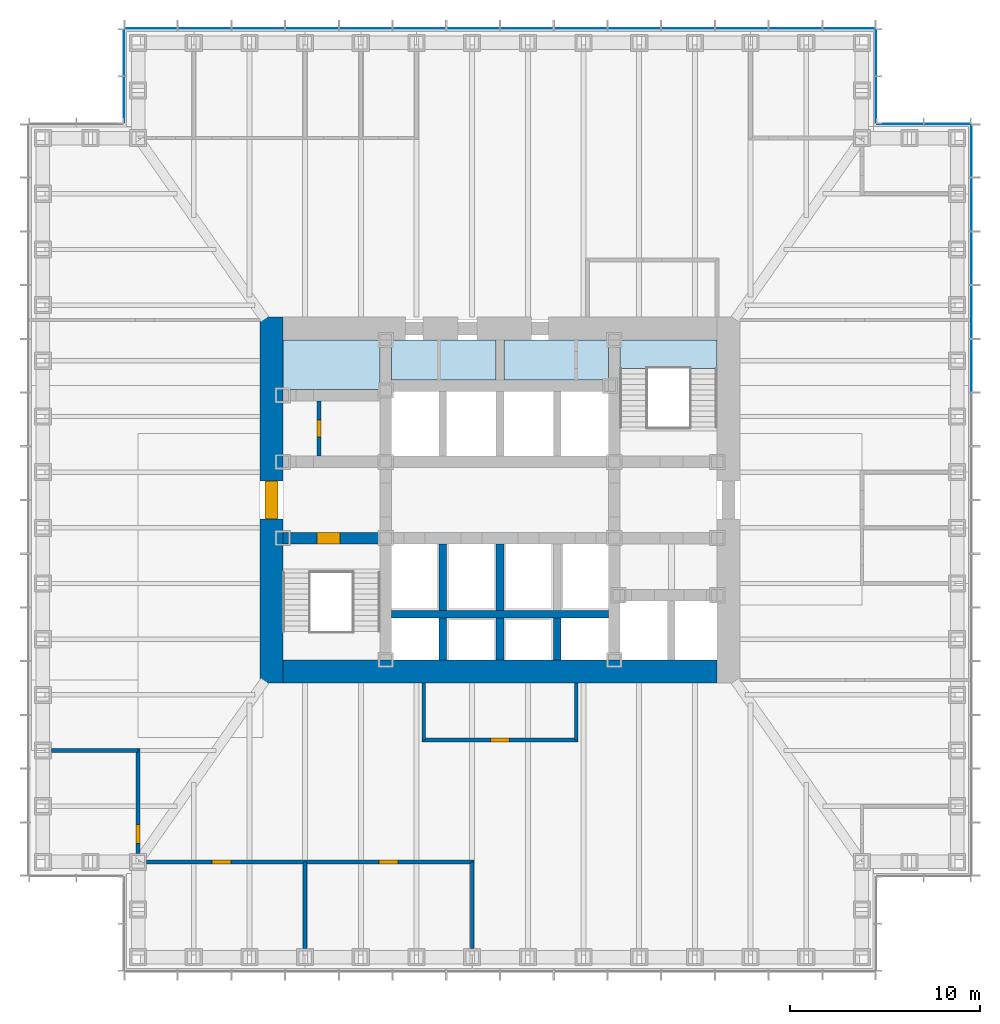
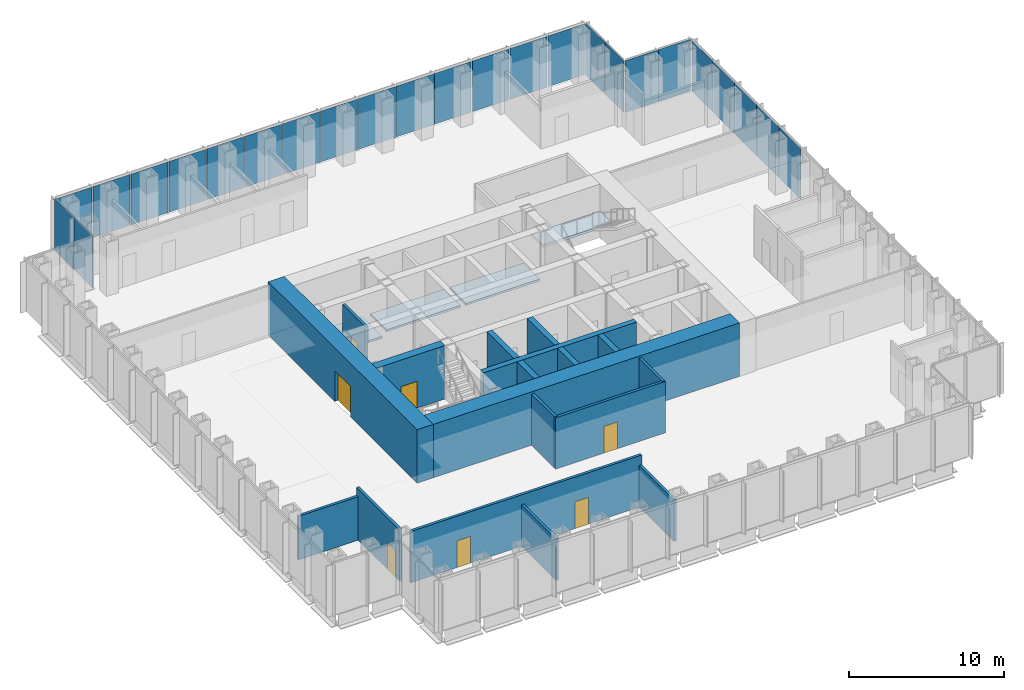
# One storey, part 8 of 16: 25 plates, 18 walls, 7 doors, 4 slabs, 7 openings, 6 elements without a shape of their own.
"""IFC4 building model written with IfcOpenShell, lengths in metres."""

from ifc_helpers import new_model, si_unit, direction, frame, frame_2d, origin, origin_2d, place, context, subcontext, project, spatial, polyline, rectangle, outline, extrude, material, layer, layer_set, type_object, element, fill, aggregate, save


model = new_model("IFC4")

# Units and contexts
model_context = context("Model", 3, precision=1e-05, world=origin(), true_north=direction((0.0, 1.0)))
body_context = subcontext(model_context, "Body", "Model", "MODEL_VIEW")
ifc_project = project(units=[si_unit("LENGTHUNIT", "METRE"), si_unit("AREAUNIT", "SQUARE_METRE"), si_unit("VOLUMEUNIT", "CUBIC_METRE"), si_unit("PLANEANGLEUNIT", "RADIAN"), si_unit("MASSUNIT", "GRAM", prefix="KILO")], contexts=[model_context])

# Site, building, storey
site_placement = place(None, origin())
site = spatial("IfcSite", under=ifc_project, at=site_placement, CompositionType="ELEMENT")
building_placement = place(site_placement, origin())
building = spatial("IfcBuilding", under=site, at=building_placement, Name="Daluyong Arena Tower", CompositionType="ELEMENT")
storey_placement = place(building_placement, frame((0.0, 0.0, 68.5)))
storey = spatial("IfcBuildingStorey", under=building, at=storey_placement, Name="L14", CompositionType="ELEMENT", Elevation=68.5)

# Curtain wall, plates
ifc_material_1 = material(Name="Bronze anodised aluminium and glass", Category="aluminium")
curtain_wall_type_1 = type_object("IfcCurtainWallType", Name="Curtain wall CW1", PredefinedType="USERDEFINED", material=ifc_material_1)
curtain_wall_1_placement = place(storey_placement, origin())
curtain_wall_1 = element("IfcCurtainWall", 1, at=curtain_wall_1_placement, inside=storey, type_object=curtain_wall_type_1, Name="curtain wall L14 E", ObjectType="UNITISED CURTAIN WALL", PredefinedType="USERDEFINED")
ifc_material_2 = material(Name="Tinted double glazed unit", Category="glass")
ifc_layer_1 = layer(ifc_material_2, 0.031982421875)
ifc_layer_set_1 = layer_set([ifc_layer_1], Name="Tinted double glazed unit")
plate_type_1 = type_object("IfcPlateType", Name="CW1 panel 32", PredefinedType="CURTAIN_PANEL", material=ifc_layer_set_1)
plate_1_placement = place(storey_placement, frame((80.75, 87.053466796875, 0.0), z_axis=(0.0, 0.0, 1.0), x_axis=(0.0, 1.0, 0.0)))
plate_1 = element("IfcPlate", 2, at=plate_1_placement, type_object=plate_type_1, Name="curtain wall L14 E panel 10", PredefinedType="CURTAIN_PANEL", context=body_context, shape_type="SweptSolid", body=[
    extrude(rectangle(XDim=2.741455078125, YDim=0.031982421875, at=origin_2d()), origin(), (0.0, 0.0, 1.0), 4.0),
])
plate_2_placement = place(storey_placement, frame((80.75, 89.875, 0.0), z_axis=(0.0, 0.0, 1.0), x_axis=(0.0, 1.0, 0.0)))
plate_2 = element("IfcPlate", 3, at=plate_2_placement, type_object=plate_type_1, Name="curtain wall L14 E panel 11", PredefinedType="CURTAIN_PANEL", context=body_context, shape_type="SweptSolid", body=[
    extrude(rectangle(XDim=2.741455078125, YDim=0.031982421875, at=origin_2d()), origin(), (0.0, 0.0, 1.0), 4.0),
])
plate_3_placement = place(storey_placement, frame((80.75, 92.696533203125, 0.0), z_axis=(0.0, 0.0, 1.0), x_axis=(0.0, 1.0, 0.0)))
plate_3 = element("IfcPlate", 4, at=plate_3_placement, type_object=plate_type_1, Name="curtain wall L14 E panel 12", PredefinedType="CURTAIN_PANEL", context=body_context, shape_type="SweptSolid", body=[
    extrude(rectangle(XDim=2.741455078125, YDim=0.031982421875, at=origin_2d()), origin(), (0.0, 0.0, 1.0), 4.0),
])
plate_4_placement = place(storey_placement, frame((80.75, 95.517822265625, 0.0), z_axis=(0.0, 0.0, 1.0), x_axis=(0.0, 1.0, 0.0)))
plate_4 = element("IfcPlate", 5, at=plate_4_placement, type_object=plate_type_1, Name="curtain wall L14 E panel 13", PredefinedType="CURTAIN_PANEL", context=body_context, shape_type="SweptSolid", body=[
    extrude(rectangle(XDim=2.741455078125, YDim=0.031982421875, at=origin_2d()), origin(), (0.0, 0.0, 1.0), 4.0),
])
plate_5_placement = place(storey_placement, frame((80.75, 98.3193359375, 0.0), z_axis=(0.0, 0.0, 1.0), x_axis=(0.0, 1.0, 0.0)))
plate_5 = element("IfcPlate", 6, at=plate_5_placement, type_object=plate_type_1, Name="curtain wall L14 E panel 14", PredefinedType="CURTAIN_PANEL", context=body_context, shape_type="SweptSolid", body=[
    extrude(rectangle(XDim=2.701416015625, YDim=0.031982421875, at=origin_2d()), origin(), (0.0, 0.0, 1.0), 4.0),
])
aggregate(curtain_wall_1, [plate_1, plate_2, plate_3, plate_4, plate_5])

curtain_wall_2_placement = place(storey_placement, origin())
curtain_wall_2 = element("IfcCurtainWall", 7, at=curtain_wall_2_placement, inside=storey, type_object=curtain_wall_type_1, Name="curtain wall L14 N", ObjectType="UNITISED CURTAIN WALL", PredefinedType="USERDEFINED")
plate_6_placement = place(storey_placement, frame((74.3193359375, 104.75, 0.0), z_axis=(0.0, 0.0, 1.0), x_axis=(-1.0, 0.0, 0.0)))
plate_6 = element("IfcPlate", 8, at=plate_6_placement, type_object=plate_type_1, Name="curtain wall L14 N panel 1", PredefinedType="CURTAIN_PANEL", context=body_context, shape_type="SweptSolid", body=[
    extrude(rectangle(XDim=2.701416015625, YDim=0.031982421875, at=origin_2d()), origin(), (0.0, 0.0, 1.0), 4.0),
])
plate_7_placement = place(storey_placement, frame((71.517822265625, 104.75, 0.0), z_axis=(0.0, 0.0, 1.0), x_axis=(-1.0, 0.0, 0.0)))
plate_7 = element("IfcPlate", 9, at=plate_7_placement, type_object=plate_type_1, Name="curtain wall L14 N panel 2", PredefinedType="CURTAIN_PANEL", context=body_context, shape_type="SweptSolid", body=[
    extrude(rectangle(XDim=2.741455078125, YDim=0.031982421875, at=origin_2d()), origin(), (0.0, 0.0, 1.0), 4.0),
])
plate_8_placement = place(storey_placement, frame((68.696533203125, 104.75, 0.0), z_axis=(0.0, 0.0, 1.0), x_axis=(-1.0, 0.0, 0.0)))
plate_8 = element("IfcPlate", 10, at=plate_8_placement, type_object=plate_type_1, Name="curtain wall L14 N panel 3", PredefinedType="CURTAIN_PANEL", context=body_context, shape_type="SweptSolid", body=[
    extrude(rectangle(XDim=2.741455078125, YDim=0.031982421875, at=origin_2d()), origin(), (0.0, 0.0, 1.0), 4.0),
])
plate_9_placement = place(storey_placement, frame((65.875, 104.75, 0.0), z_axis=(0.0, 0.0, 1.0), x_axis=(-1.0, 0.0, 0.0)))
plate_9 = element("IfcPlate", 11, at=plate_9_placement, type_object=plate_type_1, Name="curtain wall L14 N panel 4", PredefinedType="CURTAIN_PANEL", context=body_context, shape_type="SweptSolid", body=[
    extrude(rectangle(XDim=2.741455078125, YDim=0.031982421875, at=origin_2d()), origin(), (0.0, 0.0, 1.0), 4.0),
])
plate_10_placement = place(storey_placement, frame((63.053466796875, 104.75, 0.0), z_axis=(0.0, 0.0, 1.0), x_axis=(-1.0, 0.0, 0.0)))
plate_10 = element("IfcPlate", 12, at=plate_10_placement, type_object=plate_type_1, Name="curtain wall L14 N panel 5", PredefinedType="CURTAIN_PANEL", context=body_context, shape_type="SweptSolid", body=[
    extrude(rectangle(XDim=2.741455078125, YDim=0.031982421875, at=origin_2d()), origin(), (0.0, 0.0, 1.0), 4.0),
])
plate_11_placement = place(storey_placement, frame((60.232177734375, 104.75, 0.0), z_axis=(0.0, 0.0, 1.0), x_axis=(-1.0, 0.0, 0.0)))
plate_11 = element("IfcPlate", 13, at=plate_11_placement, type_object=plate_type_1, Name="curtain wall L14 N panel 6", PredefinedType="CURTAIN_PANEL", context=body_context, shape_type="SweptSolid", body=[
    extrude(rectangle(XDim=2.741455078125, YDim=0.031982421875, at=origin_2d()), origin(), (0.0, 0.0, 1.0), 4.0),
])
plate_12_placement = place(storey_placement, frame((57.41064453125, 104.75, 0.0), z_axis=(0.0, 0.0, 1.0), x_axis=(-1.0, 0.0, 0.0)))
plate_12 = element("IfcPlate", 14, at=plate_12_placement, type_object=plate_type_1, Name="curtain wall L14 N panel 7", PredefinedType="CURTAIN_PANEL", context=body_context, shape_type="SweptSolid", body=[
    extrude(rectangle(XDim=2.741455078125, YDim=0.031982421875, at=origin_2d()), origin(), (0.0, 0.0, 1.0), 4.0),
])
plate_13_placement = place(storey_placement, frame((54.58935546875, 104.75, 0.0), z_axis=(0.0, 0.0, 1.0), x_axis=(-1.0, 0.0, 0.0)))
plate_13 = element("IfcPlate", 15, at=plate_13_placement, type_object=plate_type_1, Name="curtain wall L14 N panel 8", PredefinedType="CURTAIN_PANEL", context=body_context, shape_type="SweptSolid", body=[
    extrude(rectangle(XDim=2.741455078125, YDim=0.031982421875, at=origin_2d()), origin(), (0.0, 0.0, 1.0), 4.0),
])
plate_14_placement = place(storey_placement, frame((51.767822265625, 104.75, 0.0), z_axis=(0.0, 0.0, 1.0), x_axis=(-1.0, 0.0, 0.0)))
plate_14 = element("IfcPlate", 16, at=plate_14_placement, type_object=plate_type_1, Name="curtain wall L14 N panel 9", PredefinedType="CURTAIN_PANEL", context=body_context, shape_type="SweptSolid", body=[
    extrude(rectangle(XDim=2.741455078125, YDim=0.031982421875, at=origin_2d()), origin(), (0.0, 0.0, 1.0), 4.0),
])
plate_15_placement = place(storey_placement, frame((48.946533203125, 104.75, 0.0), z_axis=(0.0, 0.0, 1.0), x_axis=(-1.0, 0.0, 0.0)))
plate_15 = element("IfcPlate", 17, at=plate_15_placement, type_object=plate_type_1, Name="curtain wall L14 N panel 10", PredefinedType="CURTAIN_PANEL", context=body_context, shape_type="SweptSolid", body=[
    extrude(rectangle(XDim=2.741455078125, YDim=0.031982421875, at=origin_2d()), origin(), (0.0, 0.0, 1.0), 4.0),
])
plate_16_placement = place(storey_placement, frame((46.125, 104.75, 0.0), z_axis=(0.0, 0.0, 1.0), x_axis=(-1.0, 0.0, 0.0)))
plate_16 = element("IfcPlate", 18, at=plate_16_placement, type_object=plate_type_1, Name="curtain wall L14 N panel 11", PredefinedType="CURTAIN_PANEL", context=body_context, shape_type="SweptSolid", body=[
    extrude(rectangle(XDim=2.741455078125, YDim=0.031982421875, at=origin_2d()), origin(), (0.0, 0.0, 1.0), 4.0),
])
plate_17_placement = place(storey_placement, frame((43.303466796875, 104.75, 0.0), z_axis=(0.0, 0.0, 1.0), x_axis=(-1.0, 0.0, 0.0)))
plate_17 = element("IfcPlate", 19, at=plate_17_placement, type_object=plate_type_1, Name="curtain wall L14 N panel 12", PredefinedType="CURTAIN_PANEL", context=body_context, shape_type="SweptSolid", body=[
    extrude(rectangle(XDim=2.741455078125, YDim=0.031982421875, at=origin_2d()), origin(), (0.0, 0.0, 1.0), 4.0),
])
plate_18_placement = place(storey_placement, frame((40.482177734375, 104.75, 0.0), z_axis=(0.0, 0.0, 1.0), x_axis=(-1.0, 0.0, 0.0)))
plate_18 = element("IfcPlate", 20, at=plate_18_placement, type_object=plate_type_1, Name="curtain wall L14 N panel 13", PredefinedType="CURTAIN_PANEL", context=body_context, shape_type="SweptSolid", body=[
    extrude(rectangle(XDim=2.741455078125, YDim=0.031982421875, at=origin_2d()), origin(), (0.0, 0.0, 1.0), 4.0),
])
plate_19_placement = place(storey_placement, frame((37.6806640625, 104.75, 0.0), z_axis=(0.0, 0.0, 1.0), x_axis=(-1.0, 0.0, 0.0)))
plate_19 = element("IfcPlate", 21, at=plate_19_placement, type_object=plate_type_1, Name="curtain wall L14 N panel 14", PredefinedType="CURTAIN_PANEL", context=body_context, shape_type="SweptSolid", body=[
    extrude(rectangle(XDim=2.701416015625, YDim=0.031982421875, at=origin_2d()), origin(), (0.0, 0.0, 1.0), 4.0),
])
aggregate(curtain_wall_2, [plate_6, plate_7, plate_8, plate_9, plate_10, plate_11, plate_12, plate_13, plate_14, plate_15, plate_16, plate_17, plate_18, plate_19])

ifc_material_3 = material(Name="Bronze anodised aluminium and glass", Category="aluminium")
curtain_wall_type_2 = type_object("IfcCurtainWallType", Name="Curtain wall CW7", PredefinedType="USERDEFINED", material=ifc_material_3)
curtain_wall_3_placement = place(storey_placement, origin())
curtain_wall_3 = element("IfcCurtainWall", 22, at=curtain_wall_3_placement, inside=storey, type_object=curtain_wall_type_2, Name="curtain wall L14 NE-N", ObjectType="UNITISED CURTAIN WALL", PredefinedType="USERDEFINED")
ifc_material_4 = material(Name="Tinted double glazed unit", Category="glass")
ifc_layer_2 = layer(ifc_material_4, 0.028076171875)
ifc_layer_set_2 = layer_set([ifc_layer_2], Name="Tinted double glazed unit")
plate_type_2 = type_object("IfcPlateType", Name="CW7 panel 28", PredefinedType="CURTAIN_PANEL", material=ifc_layer_set_2)
plate_20_placement = place(storey_placement, frame((79.485107421875, 99.75, 0.0), z_axis=(0.0, 0.0, 1.0), x_axis=(-1.0, 0.0, 0.0)))
plate_20 = element("IfcPlate", 23, at=plate_20_placement, type_object=plate_type_2, Name="curtain wall L14 NE-N panel 1", PredefinedType="CURTAIN_PANEL", context=body_context, shape_type="SweptSolid", body=[
    extrude(rectangle(XDim=2.409912109375, YDim=0.028076171875, at=origin_2d()), origin(), (0.0, 0.0, 1.0), 4.080078125),
])
plate_21_placement = place(storey_placement, frame((77.014892578125, 99.75, 0.0), z_axis=(0.0, 0.0, 1.0), x_axis=(-1.0, 0.0, 0.0)))
plate_21 = element("IfcPlate", 24, at=plate_21_placement, type_object=plate_type_2, Name="curtain wall L14 NE-N panel 2", PredefinedType="CURTAIN_PANEL", context=body_context, shape_type="SweptSolid", body=[
    extrude(rectangle(XDim=2.409912109375, YDim=0.028076171875, at=origin_2d()), origin(), (0.0, 0.0, 1.0), 4.080078125),
])
aggregate(curtain_wall_3, [plate_20, plate_21])

curtain_wall_4_placement = place(storey_placement, origin())
curtain_wall_4 = element("IfcCurtainWall", 25, at=curtain_wall_4_placement, inside=storey, type_object=curtain_wall_type_2, Name="curtain wall L14 NE-E", ObjectType="UNITISED CURTAIN WALL", PredefinedType="USERDEFINED")
plate_22_placement = place(storey_placement, frame((75.75, 101.014892578125, 0.0), z_axis=(0.0, 0.0, 1.0), x_axis=(0.0, 1.0, 0.0)))
plate_22 = element("IfcPlate", 26, at=plate_22_placement, type_object=plate_type_2, Name="curtain wall L14 NE-E panel 1", PredefinedType="CURTAIN_PANEL", context=body_context, shape_type="SweptSolid", body=[
    extrude(rectangle(XDim=2.409912109375, YDim=0.028076171875, at=origin_2d()), origin(), (0.0, 0.0, 1.0), 4.080078125),
])
plate_23_placement = place(storey_placement, frame((75.75, 103.485107421875, 0.0), z_axis=(0.0, 0.0, 1.0), x_axis=(0.0, 1.0, 0.0)))
plate_23 = element("IfcPlate", 27, at=plate_23_placement, type_object=plate_type_2, Name="curtain wall L14 NE-E panel 2", PredefinedType="CURTAIN_PANEL", context=body_context, shape_type="SweptSolid", body=[
    extrude(rectangle(XDim=2.409912109375, YDim=0.028076171875, at=origin_2d()), origin(), (0.0, 0.0, 1.0), 4.080078125),
])
aggregate(curtain_wall_4, [plate_22, plate_23])

curtain_wall_5_placement = place(storey_placement, origin())
curtain_wall_5 = element("IfcCurtainWall", 28, at=curtain_wall_5_placement, inside=storey, type_object=curtain_wall_type_2, Name="curtain wall L14 NW-W", ObjectType="UNITISED CURTAIN WALL", PredefinedType="USERDEFINED")
plate_24_placement = place(storey_placement, frame((36.25, 103.485107421875, 0.0), z_axis=(0.0, 0.0, 1.0), x_axis=(0.0, -1.0, 0.0)))
plate_24 = element("IfcPlate", 29, at=plate_24_placement, type_object=plate_type_2, Name="curtain wall L14 NW-W panel 1", PredefinedType="CURTAIN_PANEL", context=body_context, shape_type="SweptSolid", body=[
    extrude(rectangle(XDim=2.409912109375, YDim=0.028076171875, at=origin_2d()), origin(), (0.0, 0.0, 1.0), 4.080078125),
])
plate_25_placement = place(storey_placement, frame((36.25, 101.014892578125, 0.0), z_axis=(0.0, 0.0, 1.0), x_axis=(0.0, -1.0, 0.0)))
plate_25 = element("IfcPlate", 30, at=plate_25_placement, type_object=plate_type_2, Name="curtain wall L14 NW-W panel 2", PredefinedType="CURTAIN_PANEL", context=body_context, shape_type="SweptSolid", body=[
    extrude(rectangle(XDim=2.409912109375, YDim=0.028076171875, at=origin_2d()), origin(), (0.0, 0.0, 1.0), 4.080078125),
])
aggregate(curtain_wall_5, [plate_24, plate_25])

# Stair, slab
ifc_material_5 = material(Name="Concrete fc' 35 MPa", Category="concrete")
stair_type = type_object("IfcStairType", Name="Core exit stair", PredefinedType="HALF_TURN_STAIR", material=ifc_material_5)
stair_placement = place(storey_placement, origin())
stair = element("IfcStair", 31, at=stair_placement, inside=storey, type_object=stair_type, Name="exit stair B L14", PredefinedType="HALF_TURN_STAIR")
ifc_material_6 = material(Name="Concrete fc' 35 MPa", Category="concrete")
ifc_layer_3 = layer(ifc_material_6, 0.199951171875)
ifc_layer_set_3 = layer_set([ifc_layer_3], Name="Concrete fc' 35 MPa")
slab_type_1 = type_object("IfcSlabType", Name="Stair landing 200", PredefinedType="LANDING", material=ifc_layer_set_3)
slab_1_placement = place(storey_placement, frame((0.0, 0.0, 1.89990234375)))
slab_1 = element("IfcSlab", 32, at=slab_1_placement, type_object=slab_type_1, Name="STB landing 1", PredefinedType="LANDING", context=body_context, shape_type="SweptSolid", body=[
    extrude(outline(polyline([(62.300048828125, 86.905029296875), (67.39990234375, 86.905029296875), (67.39990234375, 88.39990234375), (62.300048828125, 88.39990234375), (62.300048828125, 86.905029296875)])), origin(), (0.0, 0.0, 1.0), 0.2001953125),
])
aggregate(stair, [slab_1])

# Slabs
ifc_material_7 = material(Name="Concrete fc' 35 MPa", Category="concrete")
ifc_layer_4 = layer(ifc_material_7, 0.159912109375)
ifc_layer_set_4 = layer_set([ifc_layer_4], Name="Concrete fc' 35 MPa")
slab_type_2 = type_object("IfcSlabType", Name="Tower floor slab 160", PredefinedType="FLOOR", material=ifc_layer_set_4)
slab_2_placement = place(storey_placement, frame((0.0, 0.0, -0.159912109375)))
element("IfcSlab", 33, at=slab_2_placement, inside=storey, type_object=slab_type_2, Name="floor L14 part 4", PredefinedType="FLOOR", context=body_context, shape_type="SweptSolid", body=[
    extrude(outline(polyline([(44.60009765625, 88.39990234375), (44.60009765625, 85.800048828125), (49.699951171875, 85.800048828125), (49.699951171875, 88.39990234375), (44.60009765625, 88.39990234375)])), origin(), (0.0, 0.0, 1.0), 0.159912109375),
])
slab_3_placement = place(storey_placement, frame((0.0, 0.0, -0.159912109375)))
element("IfcSlab", 34, at=slab_3_placement, inside=storey, type_object=slab_type_2, Name="floor L14 part 6", PredefinedType="FLOOR", context=body_context, shape_type="SweptSolid", body=[
    extrude(outline(polyline([(50.300048828125, 88.39990234375), (50.300048828125, 86.300048828125), (55.800048828125, 86.300048828125), (55.800048828125, 88.39990234375), (50.300048828125, 88.39990234375)])), origin(), (0.0, 0.0, 1.0), 0.159912109375),
])
slab_4_placement = place(storey_placement, frame((0.0, 0.0, -0.159912109375)))
element("IfcSlab", 35, at=slab_4_placement, inside=storey, type_object=slab_type_2, Name="floor L14 part 13", PredefinedType="FLOOR", context=body_context, shape_type="SweptSolid", body=[
    extrude(outline(polyline([(56.199951171875, 86.300048828125), (61.699951171875, 86.300048828125), (61.699951171875, 88.39990234375), (56.199951171875, 88.39990234375), (56.199951171875, 86.300048828125)])), origin(), (0.0, 0.0, 1.0), 0.159912109375),
])

# Wall, opening, door
ifc_material_8 = material(Name="Concrete fc' 60 MPa", Category="concrete")
ifc_layer_5 = layer(ifc_material_8, 0.60009765625)
ifc_layer_set_5 = layer_set([ifc_layer_5], Name="Concrete fc' 60 MPa")
wall_type_1 = type_object("IfcWallType", Name="Core inner wall 600", PredefinedType="SHEAR", material=ifc_layer_set_5)
wall_1_placement = place(storey_placement, frame((44.60009765625, 78.0, 0.0), z_axis=(0.0, 0.0, 1.0), x_axis=(1.0, 0.0, 0.0)))
wall_1 = element("IfcWall", 36, at=wall_1_placement, inside=storey, type_object=wall_type_1, Name="core inner wall at L14", PredefinedType="SHEAR", context=body_context, shape_type="SweptSolid", body=[
    extrude(rectangle(XDim=5.099853515625, YDim=0.60009765625, at=frame_2d((2.5498046875, 0.0))), origin(), (0.0, 0.0, 1.0), 4.199951171875),
])
opening_1_placement = place(wall_1_placement, frame((1.800048828125, 0.0, 0.0)))
opening_1 = element("IfcOpeningElement", 37, at=opening_1_placement, cuts=wall_1, Name="Opening 14008", PredefinedType="OPENING", context=body_context, shape_type="SweptSolid", body=[
    extrude(rectangle(XDim=1.199951171875, YDim=2.10009765625, at=frame_2d((0.60009765625, 1.050048828125))), frame((0.0, 0.31005859375, 0.0), z_axis=(0.0, -1.0, 0.0), x_axis=(1.0, 0.0, 0.0)), (0.0, 0.0, 1.0), 0.6201171875),
])
ifc_material_9 = material(Name="Steel door, fire rated", Category="steel")
door_type_1 = type_object("IfcDoorType", Name="Stair door 1200", OperationType="SINGLE_SWING_LEFT", PredefinedType="DOOR", material=ifc_material_9)
door_1_placement = place(opening_1_placement, origin())
door_1 = element("IfcDoor", 38, at=door_1_placement, inside=storey, type_object=door_type_1, Name="stair A door 14008", OperationType="SINGLE_SWING_LEFT", OverallHeight=2.10009765625, OverallWidth=1.199951171875, PredefinedType="DOOR", context=body_context, shape_type="SweptSolid", body=[
    extrude(rectangle(XDim=1.199951171875, YDim=2.10009765625, at=frame_2d((0.60009765625, 1.050048828125))), frame((0.0, 0.2998046875, 0.0), z_axis=(0.0, -1.0, 0.0), x_axis=(1.0, 0.0, 0.0)), (0.0, 0.0, 1.0), 0.599609375),
])
fill(opening_1, door_1)

ifc_material_10 = material(Name="Concrete fc' 60 MPa", Category="concrete")
ifc_layer_6 = layer(ifc_material_10, 1.199951171875)
ifc_layer_set_6 = layer_set([ifc_layer_6], Name="Concrete fc' 60 MPa")
wall_type_2 = type_object("IfcWallType", Name="Core wall 1200", PredefinedType="SHEAR", material=ifc_layer_set_6)
wall_2_placement = place(storey_placement, frame((44.0, 70.39990234375, 0.0), z_axis=(0.0, 0.0, 1.0), x_axis=(0.0, 1.0, 0.0)))
wall_2 = element("IfcWall", 39, at=wall_2_placement, inside=storey, type_object=wall_type_2, Name="core wall at L14", PredefinedType="SHEAR", context=body_context, shape_type="SweptSolid", body=[
    extrude(rectangle(XDim=19.2001953125, YDim=1.199951171875, at=frame_2d((9.60009765625, 0.0))), origin(), (0.0, 0.0, 1.0), 4.199951171875),
])
opening_2_placement = place(wall_2_placement, frame((8.60009765625, 0.0, 0.0)))
opening_2 = element("IfcOpeningElement", 40, at=opening_2_placement, cuts=wall_2, Name="Opening 14010", PredefinedType="OPENING", context=body_context, shape_type="SweptSolid", body=[
    extrude(rectangle(XDim=2.0, YDim=2.39990234375, at=frame_2d((1.0, 1.199951171875))), frame((0.0, 0.60986328125, 0.0), z_axis=(0.0, -1.0, 0.0), x_axis=(1.0, 0.0, 0.0)), (0.0, 0.0, 1.0), 1.219970703125),
])
ifc_material_11 = material(Name="Steel door, fire rated", Category="steel")
door_type_2 = type_object("IfcDoorType", Name="Core lobby double door 2000", OperationType="DOUBLE_DOOR_SINGLE_SWING", PredefinedType="DOOR", material=ifc_material_11)
door_2_placement = place(opening_2_placement, origin())
door_2 = element("IfcDoor", 41, at=door_2_placement, inside=storey, type_object=door_type_2, Name="core lobby door west 14010", OperationType="DOUBLE_DOOR_SINGLE_SWING", OverallHeight=2.39990234375, OverallWidth=2.0, PredefinedType="DOOR", context=body_context, shape_type="SweptSolid", body=[
    extrude(rectangle(XDim=2.0, YDim=2.39990234375, at=frame_2d((1.0, 1.199951171875))), frame((0.0, 0.35009765625, 0.0), z_axis=(0.0, -1.0, 0.0), x_axis=(1.0, 0.0, 0.0)), (0.0, 0.0, 1.0), 0.699951171875),
])
fill(opening_2, door_2)

# Wall
wall_3_placement = place(storey_placement, frame((44.60009765625, 71.0, 0.0), z_axis=(0.0, 0.0, 1.0), x_axis=(1.0, 0.0, 0.0)))
element("IfcWall", 42, at=wall_3_placement, inside=storey, type_object=wall_type_2, Name="core wall at L14", PredefinedType="SHEAR", context=body_context, shape_type="SweptSolid", body=[
    extrude(rectangle(XDim=22.7998046875, YDim=1.199951171875, at=frame_2d((11.39990234375, 0.0))), origin(), (0.0, 0.0, 1.0), 4.199951171875),
])

# Wall, opening, door
ifc_material_12 = material(Name="Concrete block partition, fire rated", Category="concrete")
ifc_layer_7 = layer(ifc_material_12, 0.199951171875)
ifc_layer_set_7 = layer_set([ifc_layer_7], Name="Concrete block partition, fire rated")
wall_type_3 = type_object("IfcWallType", Name="Fire-rated partition 200", PredefinedType="PARTITIONING", material=ifc_layer_set_7)
wall_4_placement = place(storey_placement, frame((46.5, 82.300048828125, 0.0), z_axis=(0.0, 0.0, 1.0), x_axis=(0.0, 1.0, 0.0)))
wall_4 = element("IfcWall", 43, at=wall_4_placement, inside=storey, type_object=wall_type_3, Name="toilet lobby partition at L14", PredefinedType="PARTITIONING", context=body_context, shape_type="SweptSolid", body=[
    extrude(rectangle(XDim=2.89990234375, YDim=0.199951171875, at=frame_2d((1.449951171875, 0.0))), origin(), (0.0, 0.0, 1.0), 4.0400390625),
])
opening_3_placement = place(wall_4_placement, frame((1.0, 0.0, 0.0)))
opening_3 = element("IfcOpeningElement", 44, at=opening_3_placement, cuts=wall_4, Name="Opening 14002", PredefinedType="OPENING", context=body_context, shape_type="SweptSolid", body=[
    extrude(rectangle(XDim=0.89990234375, YDim=2.10009765625, at=frame_2d((0.449951171875, 1.050048828125))), frame((0.0, 0.10986328125, 0.0), z_axis=(0.0, -1.0, 0.0), x_axis=(1.0, 0.0, 0.0)), (0.0, 0.0, 1.0), 0.219970703125),
])
ifc_material_13 = material(Name="Timber door", Category="wood")
door_type_3 = type_object("IfcDoorType", Name="Toilet door 900", OperationType="SINGLE_SWING_RIGHT", PredefinedType="DOOR", material=ifc_material_13)
door_3_placement = place(opening_3_placement, origin())
door_3 = element("IfcDoor", 45, at=door_3_placement, inside=storey, type_object=door_type_3, Name="male toilet door 14002", OperationType="SINGLE_SWING_RIGHT", OverallHeight=2.10009765625, OverallWidth=0.89990234375, PredefinedType="DOOR", context=body_context, shape_type="SweptSolid", body=[
    extrude(rectangle(XDim=0.89990234375, YDim=2.10009765625, at=frame_2d((0.449951171875, 1.050048828125))), frame((0.0, 0.099609375, 0.0), z_axis=(0.0, -1.0, 0.0), x_axis=(1.0, 0.0, 0.0)), (0.0, 0.0, 1.0), 0.199462890625),
])
fill(opening_3, door_3)

# Walls
ifc_material_14 = material(Name="Concrete fc' 45 MPa", Category="concrete")
ifc_layer_8 = layer(ifc_material_14, 0.39990234375)
ifc_layer_set_8 = layer_set([ifc_layer_8], Name="Concrete fc' 45 MPa")
wall_type_4 = type_object("IfcWallType", Name="Lift shaft wall 400", PredefinedType="SHEAR", material=ifc_layer_set_8)
wall_5_placement = place(storey_placement, frame((50.300048828125, 74.0, 0.0), z_axis=(0.0, 0.0, 1.0), x_axis=(1.0, 0.0, 0.0)))
element("IfcWall", 46, at=wall_5_placement, inside=storey, type_object=wall_type_4, Name="lift shaft wall at L14", PredefinedType="SHEAR", context=body_context, shape_type="SweptSolid", body=[
    extrude(rectangle(XDim=11.39990234375, YDim=0.39990234375, at=frame_2d((5.699951171875, 0.0))), origin(), (0.0, 0.0, 1.0), 4.199951171875),
])
wall_6_placement = place(storey_placement, frame((53.0, 71.60009765625, 0.0), z_axis=(0.0, 0.0, 1.0), x_axis=(0.0, 1.0, 0.0)))
element("IfcWall", 47, at=wall_6_placement, inside=storey, type_object=wall_type_4, Name="lift shaft wall at L14", PredefinedType="SHEAR", context=body_context, shape_type="SweptSolid", body=[
    extrude(rectangle(XDim=2.199951171875, YDim=0.39990234375, at=frame_2d((1.10009765625, 0.0))), origin(), (0.0, 0.0, 1.0), 4.199951171875),
])
wall_7_placement = place(storey_placement, frame((53.0, 74.199951171875, 0.0), z_axis=(0.0, 0.0, 1.0), x_axis=(0.0, 1.0, 0.0)))
element("IfcWall", 48, at=wall_7_placement, inside=storey, type_object=wall_type_4, Name="lift shaft wall at L14", PredefinedType="SHEAR", context=body_context, shape_type="SweptSolid", body=[
    extrude(rectangle(XDim=3.5, YDim=0.39990234375, at=frame_2d((1.75, 0.0))), origin(), (0.0, 0.0, 1.0), 4.199951171875),
])
wall_8_placement = place(storey_placement, frame((56.0, 71.60009765625, 0.0), z_axis=(0.0, 0.0, 1.0), x_axis=(0.0, 1.0, 0.0)))
element("IfcWall", 49, at=wall_8_placement, inside=storey, type_object=wall_type_4, Name="lift shaft wall at L14", PredefinedType="SHEAR", context=body_context, shape_type="SweptSolid", body=[
    extrude(rectangle(XDim=2.199951171875, YDim=0.39990234375, at=frame_2d((1.10009765625, 0.0))), origin(), (0.0, 0.0, 1.0), 4.199951171875),
])
wall_9_placement = place(storey_placement, frame((56.0, 74.199951171875, 0.0), z_axis=(0.0, 0.0, 1.0), x_axis=(0.0, 1.0, 0.0)))
element("IfcWall", 50, at=wall_9_placement, inside=storey, type_object=wall_type_4, Name="lift shaft wall at L14", PredefinedType="SHEAR", context=body_context, shape_type="SweptSolid", body=[
    extrude(rectangle(XDim=3.5, YDim=0.39990234375, at=frame_2d((1.75, 0.0))), origin(), (0.0, 0.0, 1.0), 4.199951171875),
])
wall_10_placement = place(storey_placement, frame((59.0, 71.60009765625, 0.0), z_axis=(0.0, 0.0, 1.0), x_axis=(0.0, 1.0, 0.0)))
element("IfcWall", 51, at=wall_10_placement, inside=storey, type_object=wall_type_4, Name="lift shaft wall at L14", PredefinedType="SHEAR", context=body_context, shape_type="SweptSolid", body=[
    extrude(rectangle(XDim=2.199951171875, YDim=0.39990234375, at=frame_2d((1.10009765625, 0.0))), origin(), (0.0, 0.0, 1.0), 4.199951171875),
])
ifc_material_15 = material(Name="Concrete block partition", Category="concrete")
ifc_layer_9 = layer(ifc_material_15, 0.199951171875)
ifc_layer_set_9 = layer_set([ifc_layer_9], Name="Concrete block partition")
wall_type_5 = type_object("IfcWallType", Name="Partition 200", PredefinedType="PARTITIONING", material=ifc_layer_set_9)
for number, where, z_axis, x_axis, name in (
    (52, (45.769287109375, 56.449951171875, 0.0), (0.0, 0.0, 1.0), (0.0, 1.0, 0.0), "partition at L14"),
    (53, (54.53857421875, 56.449951171875, 0.0), (0.0, 0.0, 1.0), (0.0, 1.0, 0.0), "partition at L14"),
):
    element("IfcWall", number, at=place(storey_placement, frame(where, z_axis=z_axis, x_axis=x_axis)), inside=storey, type_object=wall_type_5, Name=name, PredefinedType="PARTITIONING", context=body_context, shape_type="SweptSolid", body=[
        extrude(rectangle(XDim=4.550048828125, YDim=0.199951171875, at=frame_2d((2.27490234375, 0.0))), origin(), (0.0, 0.0, 1.0), 3.278076171875),
    ])
wall_11_placement = place(storey_placement, frame((32.449951171875, 66.84619140625, 0.0), z_axis=(0.0, 0.0, 1.0), x_axis=(1.0, 0.0, 0.0)))
element("IfcWall", 54, at=wall_11_placement, inside=storey, type_object=wall_type_5, Name="partition at L14", PredefinedType="PARTITIONING", context=body_context, shape_type="SweptSolid", body=[
    extrude(rectangle(XDim=4.550048828125, YDim=0.199951171875, at=frame_2d((2.27490234375, 0.0))), origin(), (0.0, 0.0, 1.0), 3.427978515625),
])
for number, where, z_axis, x_axis, name in (
    (55, (52.0, 67.39990234375, 0.0), (0.0, 0.0, 1.0), (0.0, 1.0, 0.0), "partition at L14"),
    (56, (60.0, 67.39990234375, 0.0), (0.0, 0.0, 1.0), (0.0, 1.0, 0.0), "partition at L14"),
):
    element("IfcWall", number, at=place(storey_placement, frame(where, z_axis=z_axis, x_axis=x_axis)), inside=storey, type_object=wall_type_5, Name=name, PredefinedType="PARTITIONING", context=body_context, shape_type="SweptSolid", body=[
        extrude(rectangle(XDim=3.0, YDim=0.199951171875, at=frame_2d((1.5, 0.0))), origin(), (0.0, 0.0, 1.0), 4.0400390625),
    ])

# Wall, openings, doors
wall_12_placement = place(storey_placement, frame((37.449951171875, 61.0, 0.0), z_axis=(0.0, 0.0, 1.0), x_axis=(1.0, 0.0, 0.0)))
wall_12 = element("IfcWall", 57, at=wall_12_placement, inside=storey, type_object=wall_type_5, Name="partition at L14", PredefinedType="PARTITIONING", context=body_context, shape_type="SweptSolid", body=[
    extrude(rectangle(XDim=17.1884765625, YDim=0.199951171875, at=frame_2d((8.59423828125, 0.0))), origin(), (0.0, 0.0, 1.0), 4.0400390625),
])
opening_4_placement = place(wall_12_placement, frame((3.4345703125, 0.0, 0.0)))
opening_4 = element("IfcOpeningElement", 58, at=opening_4_placement, cuts=wall_12, Name="Opening 14021", PredefinedType="OPENING", context=body_context, shape_type="SweptSolid", body=[
    extrude(rectangle(XDim=1.0, YDim=2.10009765625, at=frame_2d((0.5, 1.050048828125))), frame((0.0, 0.10986328125, 0.0), z_axis=(0.0, -1.0, 0.0), x_axis=(1.0, 0.0, 0.0)), (0.0, 0.0, 1.0), 0.219970703125),
])
opening_5_placement = place(wall_12_placement, frame((12.203857421875, 0.0, 0.0)))
opening_5 = element("IfcOpeningElement", 59, at=opening_5_placement, cuts=wall_12, Name="Opening 14022", PredefinedType="OPENING", context=body_context, shape_type="SweptSolid", body=[
    extrude(rectangle(XDim=1.0, YDim=2.10009765625, at=frame_2d((0.5, 1.050048828125))), frame((0.0, 0.10986328125, 0.0), z_axis=(0.0, -1.0, 0.0), x_axis=(1.0, 0.0, 0.0)), (0.0, 0.0, 1.0), 0.219970703125),
])
ifc_material_16 = material(Name="Timber door", Category="wood")
door_type_4 = type_object("IfcDoorType", Name="Room door 1000", OperationType="SINGLE_SWING_LEFT", PredefinedType="DOOR", material=ifc_material_16)
door_4_placement = place(opening_4_placement, origin())
door_4 = element("IfcDoor", 60, at=door_4_placement, inside=storey, type_object=door_type_4, Name="training room door 14021", OperationType="SINGLE_SWING_LEFT", OverallHeight=2.10009765625, OverallWidth=1.0, PredefinedType="DOOR", context=body_context, shape_type="SweptSolid", body=[
    extrude(rectangle(XDim=1.0, YDim=2.10009765625, at=frame_2d((0.5, 1.050048828125))), frame((0.0, 0.099609375, 0.0), z_axis=(0.0, -1.0, 0.0), x_axis=(1.0, 0.0, 0.0)), (0.0, 0.0, 1.0), 0.199462890625),
])
fill(opening_4, door_4)
door_5_placement = place(opening_5_placement, origin())
door_5 = element("IfcDoor", 61, at=door_5_placement, inside=storey, type_object=door_type_4, Name="training room door 14022", OperationType="SINGLE_SWING_LEFT", OverallHeight=2.10009765625, OverallWidth=1.0, PredefinedType="DOOR", context=body_context, shape_type="SweptSolid", body=[
    extrude(rectangle(XDim=1.0, YDim=2.10009765625, at=frame_2d((0.5, 1.050048828125))), frame((0.0, 0.099609375, 0.0), z_axis=(0.0, -1.0, 0.0), x_axis=(1.0, 0.0, 0.0)), (0.0, 0.0, 1.0), 0.199462890625),
])
fill(opening_5, door_5)

# Wall, opening, door
wall_13_placement = place(storey_placement, frame((51.89990234375, 67.39990234375, 0.0), z_axis=(0.0, 0.0, 1.0), x_axis=(1.0, 0.0, 0.0)))
wall_13 = element("IfcWall", 62, at=wall_13_placement, inside=storey, type_object=wall_type_5, Name="partition at L14", PredefinedType="PARTITIONING", context=body_context, shape_type="SweptSolid", body=[
    extrude(rectangle(XDim=8.2001953125, YDim=0.199951171875, at=frame_2d((4.10009765625, 0.0))), origin(), (0.0, 0.0, 1.0), 4.0400390625),
])
opening_6_placement = place(wall_13_placement, frame((3.60009765625, 0.0, 0.0)))
opening_6 = element("IfcOpeningElement", 63, at=opening_6_placement, cuts=wall_13, Name="Opening 14034", PredefinedType="OPENING", context=body_context, shape_type="SweptSolid", body=[
    extrude(rectangle(XDim=1.0, YDim=2.10009765625, at=frame_2d((0.5, 1.050048828125))), frame((0.0, 0.10986328125, 0.0), z_axis=(0.0, -1.0, 0.0), x_axis=(1.0, 0.0, 0.0)), (0.0, 0.0, 1.0), 0.219970703125),
])
door_6_placement = place(opening_6_placement, origin())
door_6 = element("IfcDoor", 64, at=door_6_placement, inside=storey, type_object=door_type_4, Name="comms room door 14034", OperationType="SINGLE_SWING_LEFT", OverallHeight=2.10009765625, OverallWidth=1.0, PredefinedType="DOOR", context=body_context, shape_type="SweptSolid", body=[
    extrude(rectangle(XDim=1.0, YDim=2.10009765625, at=frame_2d((0.5, 1.050048828125))), frame((0.0, 0.099609375, 0.0), z_axis=(0.0, -1.0, 0.0), x_axis=(1.0, 0.0, 0.0)), (0.0, 0.0, 1.0), 0.199462890625),
])
fill(opening_6, door_6)

wall_14_placement = place(storey_placement, frame((37.0, 61.449951171875, 0.0), z_axis=(0.0, 0.0, 1.0), x_axis=(0.0, 1.0, 0.0)))
wall_14 = element("IfcWall", 65, at=wall_14_placement, inside=storey, type_object=wall_type_5, Name="partition at L14", PredefinedType="PARTITIONING", context=body_context, shape_type="SweptSolid", body=[
    extrude(rectangle(XDim=5.49609375, YDim=0.199951171875, at=frame_2d((2.748046875, 0.0))), origin(), (0.0, 0.0, 1.0), 4.0400390625),
])
opening_7_placement = place(wall_14_placement, frame((0.511474609375, 0.0, 0.0)))
opening_7 = element("IfcOpeningElement", 66, at=opening_7_placement, cuts=wall_14, Name="Opening 14032", PredefinedType="OPENING", context=body_context, shape_type="SweptSolid", body=[
    extrude(rectangle(XDim=1.0, YDim=2.10009765625, at=frame_2d((0.5, 1.050048828125))), frame((0.0, 0.10986328125, 0.0), z_axis=(0.0, -1.0, 0.0), x_axis=(1.0, 0.0, 0.0)), (0.0, 0.0, 1.0), 0.219970703125),
])
door_7_placement = place(opening_7_placement, origin())
door_7 = element("IfcDoor", 67, at=door_7_placement, inside=storey, type_object=door_type_4, Name="pantry door 14032", OperationType="SINGLE_SWING_LEFT", OverallHeight=2.10009765625, OverallWidth=1.0, PredefinedType="DOOR", context=body_context, shape_type="SweptSolid", body=[
    extrude(rectangle(XDim=1.0, YDim=2.10009765625, at=frame_2d((0.5, 1.050048828125))), frame((0.0, 0.099609375, 0.0), z_axis=(0.0, -1.0, 0.0), x_axis=(1.0, 0.0, 0.0)), (0.0, 0.0, 1.0), 0.199462890625),
])
fill(opening_7, door_7)

save(model, "model.ifc")
